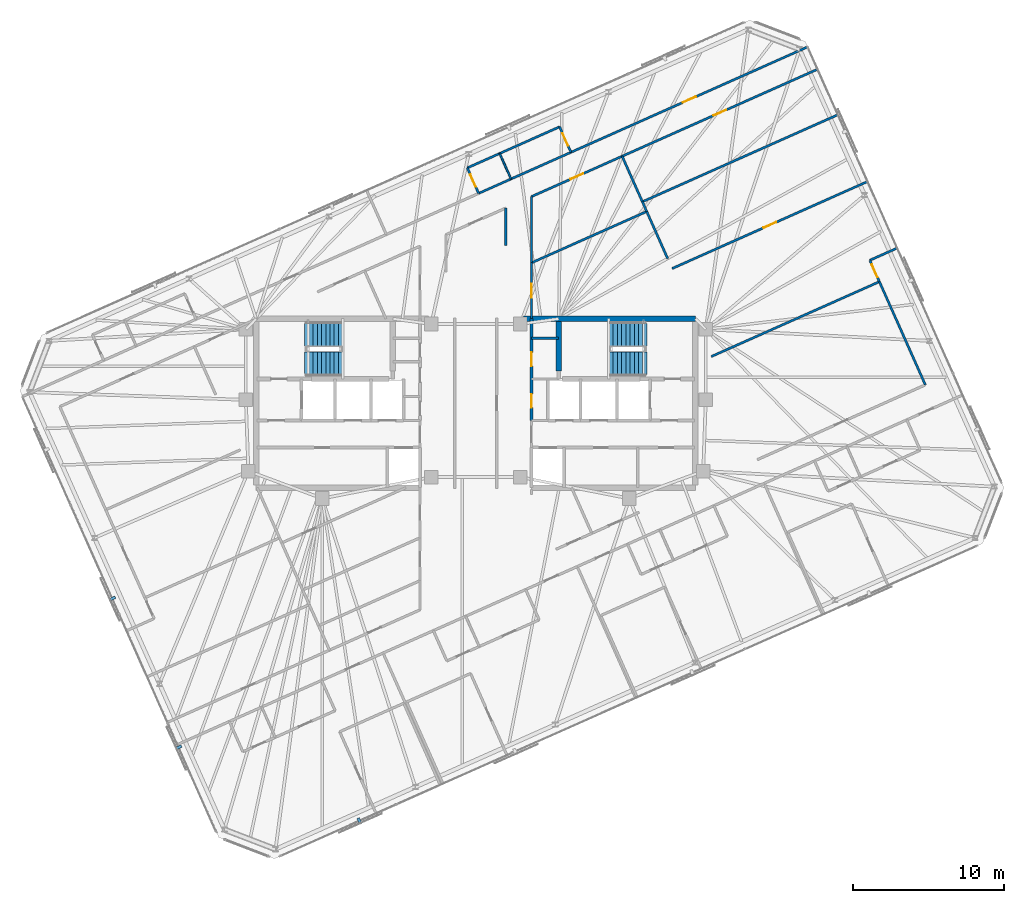
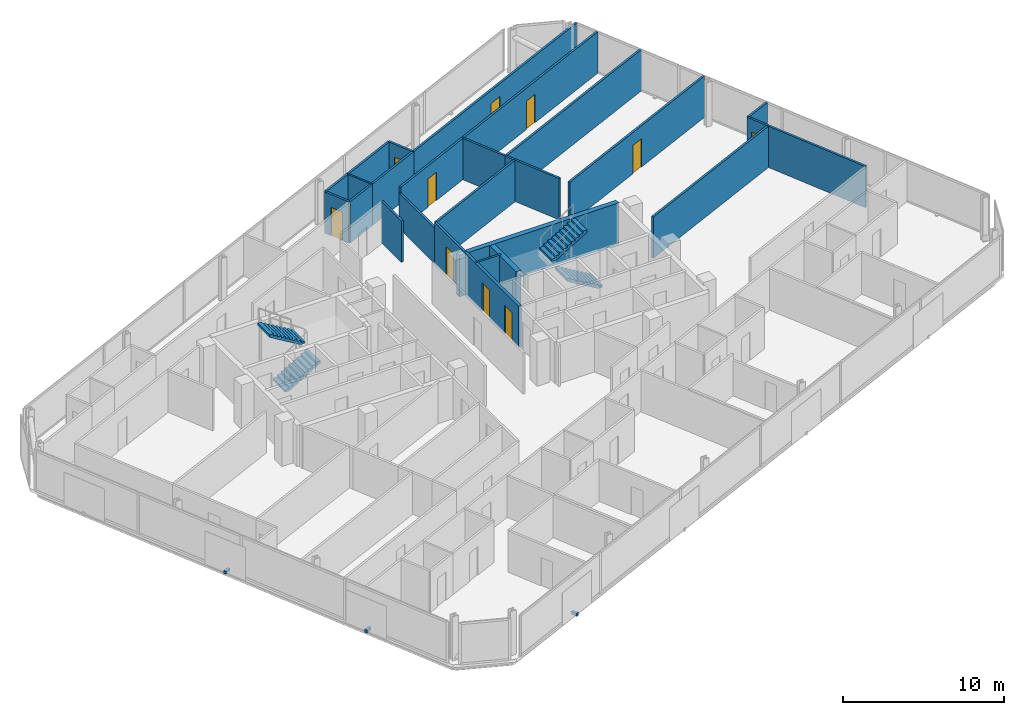
# One storey, part 17 of 19: 27 walls, 10 doors, 4 stair flights, 3 discrete accessories, 10 openings, 2 elements without a shape of their own.
"""IFC4 building model written with IfcOpenShell, lengths in metres."""

from ifc_helpers import new_model, si_unit, direction, frame, frame_2d, origin, origin_2d, place, context, subcontext, project, spatial, polyline, rectangle, outline, extrude, material, layer, layer_set, type_object, element, fill, aggregate, save


model = new_model("IFC4")

# Units and contexts
model_context = context("Model", 3, precision=1e-05, world=origin(), true_north=direction((0.0, 1.0)))
body_context = subcontext(model_context, "Body", "Model", "MODEL_VIEW")
ifc_project = project(units=[si_unit("LENGTHUNIT", "METRE"), si_unit("AREAUNIT", "SQUARE_METRE"), si_unit("VOLUMEUNIT", "CUBIC_METRE"), si_unit("PLANEANGLEUNIT", "RADIAN"), si_unit("MASSUNIT", "GRAM", prefix="KILO")], contexts=[model_context])

# Site, building, storey
site_placement = place(None, origin())
site = spatial("IfcSite", under=ifc_project, at=site_placement, CompositionType="ELEMENT")
building_placement = place(site_placement, origin())
building = spatial("IfcBuilding", under=site, at=building_placement, Name="Menara Jurai Vektor", CompositionType="ELEMENT")
storey_placement = place(building_placement, frame((0.0, 0.0, 268.89990234375)))
storey = spatial("IfcBuildingStorey", under=building, at=storey_placement, Name="L72", CompositionType="ELEMENT", Elevation=268.89990234375)

# Wall
ifc_material_1 = material(Name="Gypsum Fireboard Partition", Category="gypsum")
ifc_layer_1 = layer(ifc_material_1, 0.14990234375)
ifc_layer_set_1 = layer_set([ifc_layer_1], Name="Gypsum Fireboard Partition")
wall_type_1 = type_object("IfcWallType", Name="INT-WALL-CORR-150", PredefinedType="PARTITIONING", material=ifc_layer_set_1)
wall_1_placement = place(storey_placement, frame((3.699951171875, 4.300048828125, 0.0), z_axis=(0.0, 0.0, 1.0), x_axis=(1.0, 0.0, 0.0)))
element("IfcWall", 1, at=wall_1_placement, inside=storey, type_object=wall_type_1, Name="Interior Wall IW-150 L72", PredefinedType="PARTITIONING", context=body_context, shape_type="SweptSolid", body=[
    extrude(rectangle(XDim=1.800048828125, YDim=0.14990234375, at=frame_2d((0.89990234375, 0.0))), origin(), (0.0, 0.0, 1.0), 3.125),
])

# Wall, opening, door
wall_2_placement = place(storey_placement, frame((6.3095703125, 16.63818359375, 0.0), z_axis=(0.0, 0.0, 1.0), x_axis=(0.913550659227, 0.406724959925, 0.0)))
wall_2 = element("IfcWall", 2, at=wall_2_placement, inside=storey, type_object=wall_type_1, Name="Interior Wall IW-150 L72", PredefinedType="PARTITIONING", context=body_context, shape_type="SweptSolid", body=[
    extrude(rectangle(XDim=17.184814453125, YDim=0.14990234375, at=frame_2d((8.59228515625, 0.0))), origin(), (0.0, 0.0, 1.0), 3.125),
])
opening_1_placement = place(wall_2_placement, frame((8.117431640625, 0.0, 0.0)))
opening_1 = element("IfcOpeningElement", 3, at=opening_1_placement, cuts=wall_2, Name="Opening D72-13", PredefinedType="OPENING", context=body_context, shape_type="SweptSolid", body=[
    extrude(rectangle(XDim=0.949951171875, YDim=2.14990234375, at=frame_2d((0.47509765625, 1.074951171875))), frame((0.0, 0.0849609375, 0.0), z_axis=(0.0, -1.0, 0.0), x_axis=(1.0, 0.0, 0.0)), (0.0, 0.0, 1.0), 0.169921875),
])
ifc_material_2 = material(Name="Solid Core Timber Fire Door", Category="wood")
door_type_1 = type_object("IfcDoorType", Name="DR-ENTRY-950", OperationType="NOTDEFINED", PredefinedType="DOOR", material=ifc_material_2)
door_1_placement = place(opening_1_placement, origin())
door_1 = element("IfcDoor", 4, at=door_1_placement, inside=storey, type_object=door_type_1, Name="Interior Door D72-13", OperationType="SINGLE_SWING_LEFT", OverallHeight=2.14990234375, OverallWidth=0.949951171875, PredefinedType="DOOR", context=body_context, shape_type="SweptSolid", body=[
    extrude(rectangle(XDim=0.949951171875, YDim=2.14990234375, at=frame_2d((0.47509765625, 1.074951171875))), frame((0.0, 0.02490234375, 0.0), z_axis=(0.0, -1.0, 0.0), x_axis=(1.0, 0.0, 0.0)), (0.0, 0.0, 1.0), 0.050048828125),
])
fill(opening_1, door_1)

# Walls
wall_3_placement = place(storey_placement, frame((0.188720703125, 13.912841796875, 0.0), z_axis=(0.0, 0.0, 1.0), x_axis=(0.913520021435, 0.406793768926, 0.0)))
element("IfcWall", 5, at=wall_3_placement, inside=storey, type_object=wall_type_1, Name="Interior Wall IW-150 L72", PredefinedType="PARTITIONING", context=body_context, shape_type="SweptSolid", body=[
    extrude(rectangle(XDim=2.35009765625, YDim=0.14990234375, at=frame_2d((1.175048828125, 0.0))), origin(), (0.0, 0.0, 1.0), 3.125),
])
wall_4_placement = place(storey_placement, frame((2.335693359375, 14.868896484375, 0.0), z_axis=(0.0, 0.0, 1.0), x_axis=(0.913545193015, 0.406737237438, 0.0)))
element("IfcWall", 6, at=wall_4_placement, inside=storey, type_object=wall_type_1, Name="Interior Wall IW-150 L72", PredefinedType="PARTITIONING", context=body_context, shape_type="SweptSolid", body=[
    extrude(rectangle(XDim=4.349853515625, YDim=0.14990234375, at=frame_2d((2.1748046875, 0.0))), origin(), (0.0, 0.0, 1.0), 3.125),
])

# Wall, opening, door
wall_5_placement = place(storey_placement, frame((3.7001953125, 5.6005859375, 0.0), z_axis=(0.0, 0.0, 1.0), x_axis=(0.0, 1.0, 0.0)))
wall_5 = element("IfcWall", 7, at=wall_5_placement, inside=storey, type_object=wall_type_1, Name="Interior Wall IW-150 L72", PredefinedType="PARTITIONING", context=body_context, shape_type="SweptSolid", body=[
    extrude(rectangle(XDim=3.712890625, YDim=0.14990234375, at=frame_2d((1.8564453125, 0.0))), origin(), (0.0, 0.0, 1.0), 3.125),
])
opening_2_placement = place(wall_5_placement, frame((1.396484375, 0.0, 0.0)))
opening_2 = element("IfcOpeningElement", 8, at=opening_2_placement, cuts=wall_5, Name="Opening D72-42", PredefinedType="OPENING", context=body_context, shape_type="SweptSolid", body=[
    extrude(rectangle(XDim=0.919921875, YDim=2.14990234375, at=frame_2d((0.4599609375, 1.074951171875))), frame((0.0, 0.0849609375, 0.0), z_axis=(0.0, -1.0, 0.0), x_axis=(1.0, 0.0, 0.0)), (0.0, 0.0, 1.0), 0.169921875),
])
door_2_placement = place(opening_2_placement, origin())
door_2 = element("IfcDoor", 9, at=door_2_placement, inside=storey, type_object=door_type_1, Name="Interior Door D72-42", OperationType="SINGLE_SWING_RIGHT", OverallHeight=2.14990234375, OverallWidth=0.919921875, PredefinedType="DOOR", context=body_context, shape_type="SweptSolid", body=[
    extrude(rectangle(XDim=0.919921875, YDim=2.14990234375, at=frame_2d((0.4599609375, 1.074951171875))), frame((0.0, 0.02490234375, 0.0), z_axis=(0.0, -1.0, 0.0), x_axis=(1.0, 0.0, 0.0)), (0.0, 0.0, 1.0), 0.050048828125),
])
fill(opening_2, door_2)

wall_6_placement = place(storey_placement, frame((3.69970703125, 13.702880859375, 0.0), z_axis=(0.0, 0.0, 1.0), x_axis=(0.913549363376, 0.406727870542, 0.0)))
wall_6 = element("IfcWall", 10, at=wall_6_placement, inside=storey, type_object=wall_type_1, Name="Interior Wall IW-150 L72", PredefinedType="PARTITIONING", context=body_context, shape_type="SweptSolid", body=[
    extrude(rectangle(XDim=6.571044921875, YDim=0.14990234375, at=frame_2d((3.28564453125, 0.0))), origin(), (0.0, 0.0, 1.0), 3.125),
])
opening_3_placement = place(wall_6_placement, frame((2.825439453125, 0.0, 0.0)))
opening_3 = element("IfcOpeningElement", 11, at=opening_3_placement, cuts=wall_6, Name="Opening D72-43", PredefinedType="OPENING", context=body_context, shape_type="SweptSolid", body=[
    extrude(rectangle(XDim=0.919921875, YDim=2.14990234375, at=frame_2d((0.4599609375, 1.074951171875))), frame((0.0, 0.0849609375, 0.0), z_axis=(0.0, -1.0, 0.0), x_axis=(1.0, 0.0, 0.0)), (0.0, 0.0, 1.0), 0.169921875),
])
door_3_placement = place(opening_3_placement, origin())
door_3 = element("IfcDoor", 12, at=door_3_placement, inside=storey, type_object=door_type_1, Name="Interior Door D72-43", OperationType="SINGLE_SWING_LEFT", OverallHeight=2.14990234375, OverallWidth=0.919921875, PredefinedType="DOOR", context=body_context, shape_type="SweptSolid", body=[
    extrude(rectangle(XDim=0.919921875, YDim=2.14990234375, at=frame_2d((0.4599609375, 1.074951171875))), frame((0.0, 0.02490234375, 0.0), z_axis=(0.0, -1.0, 0.0), x_axis=(1.0, 0.0, 0.0)), (0.0, 0.0, 1.0), 0.050048828125),
])
fill(opening_3, door_3)

# Walls
wall_7_placement = place(storey_placement, frame((1.97998046875, 10.4599609375, 0.0), z_axis=(0.0, 0.0, 1.0), x_axis=(0.000197102588, 0.999999980575, 0.0)))
element("IfcWall", 13, at=wall_7_placement, inside=storey, type_object=wall_type_1, Name="Interior Wall IW-150 L72", PredefinedType="PARTITIONING", context=body_context, shape_type="SweptSolid", body=[
    extrude(rectangle(XDim=2.477294921875, YDim=0.14990234375, at=frame_2d((1.23876953125, 0.0))), origin(), (0.0, 0.0, 1.0), 3.125),
])
wall_8_placement = place(storey_placement, frame((29.808837890625, 1.2158203125, 0.0), z_axis=(0.0, 0.0, 1.0), x_axis=(-0.406719136744, 0.913553251763, 0.0)))
element("IfcWall", 14, at=wall_8_placement, inside=storey, type_object=wall_type_1, Name="Interior Wall IW-150 L72", PredefinedType="PARTITIONING", context=body_context, shape_type="SweptSolid", body=[
    extrude(rectangle(XDim=7.489013671875, YDim=0.14990234375, at=frame_2d((3.74462890625, 0.0))), origin(), (0.0, 0.0, 1.0), 3.125),
])

# Wall, opening, door
wall_9_placement = place(storey_placement, frame((26.762939453125, 8.057373046875, 0.0), z_axis=(0.0, 0.0, 1.0), x_axis=(-0.406851688687, 0.913494227356, 0.0)))
wall_9 = element("IfcWall", 15, at=wall_9_placement, inside=storey, type_object=wall_type_1, Name="Interior Wall IW-150 L72", PredefinedType="PARTITIONING", context=body_context, shape_type="SweptSolid", body=[
    extrude(rectangle(XDim=1.555908203125, YDim=0.14990234375, at=frame_2d((0.77783203125, 0.0))), origin(), (0.0, 0.0, 1.0), 3.125),
])
opening_4_placement = place(wall_9_placement, frame((0.318115234375, 0.0, 0.0)))
opening_4 = element("IfcOpeningElement", 16, at=opening_4_placement, cuts=wall_9, Name="Opening D72-49", PredefinedType="OPENING", context=body_context, shape_type="SweptSolid", body=[
    extrude(rectangle(XDim=0.919921875, YDim=2.14990234375, at=frame_2d((0.4599609375, 1.074951171875))), frame((0.0, 0.0849609375, 0.0), z_axis=(0.0, -1.0, 0.0), x_axis=(1.0, 0.0, 0.0)), (0.0, 0.0, 1.0), 0.169921875),
])
door_4_placement = place(opening_4_placement, origin())
door_4 = element("IfcDoor", 17, at=door_4_placement, inside=storey, type_object=door_type_1, Name="Interior Door D72-49", OperationType="SINGLE_SWING_LEFT", OverallHeight=2.14990234375, OverallWidth=0.919921875, PredefinedType="DOOR", context=body_context, shape_type="SweptSolid", body=[
    extrude(rectangle(XDim=0.919921875, YDim=2.14990234375, at=frame_2d((0.4599609375, 1.074951171875))), frame((0.0, 0.02490234375, 0.0), z_axis=(0.0, -1.0, 0.0), x_axis=(1.0, 0.0, 0.0)), (0.0, 0.0, 1.0), 0.050048828125),
])
fill(opening_4, door_4)

# Wall
wall_10_placement = place(storey_placement, frame((26.1298828125, 9.478759765625, 0.0), z_axis=(0.0, 0.0, 1.0), x_axis=(0.913573626813, 0.406673368186, 0.0)))
element("IfcWall", 18, at=wall_10_placement, inside=storey, type_object=wall_type_1, Name="Interior Wall IW-150 L72", PredefinedType="PARTITIONING", context=body_context, shape_type="SweptSolid", body=[
    extrude(rectangle(XDim=1.990234375, YDim=0.14990234375, at=frame_2d((0.9951171875, 0.0))), origin(), (0.0, 0.0, 1.0), 3.125),
])

# Wall, opening, door
wall_11_placement = place(storey_placement, frame((9.70263671875, 16.37548828125, 0.0), z_axis=(0.0, 0.0, 1.0), x_axis=(0.913544622417, 0.406738519018, 0.0)))
wall_11 = element("IfcWall", 19, at=wall_11_placement, inside=storey, type_object=wall_type_1, Name="Interior Wall IW-150 L72", PredefinedType="PARTITIONING", context=body_context, shape_type="SweptSolid", body=[
    extrude(rectangle(XDim=14.192138671875, YDim=0.14990234375, at=frame_2d((7.09619140625, 0.0))), origin(), (0.0, 0.0, 1.0), 3.125),
])
opening_5_placement = place(wall_11_placement, frame((6.635986328125, 0.0, 0.0)))
opening_5 = element("IfcOpeningElement", 20, at=opening_5_placement, cuts=wall_11, Name="Opening D72-51", PredefinedType="OPENING", context=body_context, shape_type="SweptSolid", body=[
    extrude(rectangle(XDim=0.919921875, YDim=2.14990234375, at=frame_2d((0.4599609375, 1.074951171875))), frame((0.0, 0.0849609375, 0.0), z_axis=(0.0, -1.0, 0.0), x_axis=(1.0, 0.0, 0.0)), (0.0, 0.0, 1.0), 0.169921875),
])
door_5_placement = place(opening_5_placement, origin())
door_5 = element("IfcDoor", 21, at=door_5_placement, inside=storey, type_object=door_type_1, Name="Interior Door D72-51", OperationType="SINGLE_SWING_LEFT", OverallHeight=2.14990234375, OverallWidth=0.919921875, PredefinedType="DOOR", context=body_context, shape_type="SweptSolid", body=[
    extrude(rectangle(XDim=0.919921875, YDim=2.14990234375, at=frame_2d((0.4599609375, 1.074951171875))), frame((0.0, 0.02490234375, 0.0), z_axis=(0.0, -1.0, 0.0), x_axis=(1.0, 0.0, 0.0)), (0.0, 0.0, 1.0), 0.050048828125),
])
fill(opening_5, door_5)

wall_12_placement = place(storey_placement, frame((0.188720703125, 13.912841796875, 0.0), z_axis=(0.0, 0.0, 1.0), x_axis=(-0.406701600856, 0.913561058639, 0.0)))
wall_12 = element("IfcWall", 22, at=wall_12_placement, inside=storey, type_object=wall_type_1, Name="Interior Wall IW-150 L72", PredefinedType="PARTITIONING", context=body_context, shape_type="SweptSolid", body=[
    extrude(rectangle(XDim=1.85009765625, YDim=0.14990234375, at=frame_2d((0.925048828125, 0.0))), origin(), (0.0, 0.0, 1.0), 3.125),
])
opening_6_placement = place(wall_12_placement, frame((0.485107421875, 0.0, 0.0)))
opening_6 = element("IfcOpeningElement", 23, at=opening_6_placement, cuts=wall_12, Name="Opening D72-14", PredefinedType="OPENING", context=body_context, shape_type="SweptSolid", body=[
    extrude(rectangle(XDim=0.8798828125, YDim=2.14990234375, at=frame_2d((0.43994140625, 1.074951171875))), frame((0.0, 0.0849609375, 0.0), z_axis=(0.0, -1.0, 0.0), x_axis=(1.0, 0.0, 0.0)), (0.0, 0.0, 1.0), 0.169921875),
])
ifc_material_3 = material(Name="Moisture-Resistant Timber Door", Category="wood")
door_type_2 = type_object("IfcDoorType", Name="DR-BATH-880", OperationType="NOTDEFINED", PredefinedType="DOOR", material=ifc_material_3)
door_6_placement = place(opening_6_placement, origin())
door_6 = element("IfcDoor", 24, at=door_6_placement, inside=storey, type_object=door_type_2, Name="Interior Door D72-14", OperationType="SINGLE_SWING_RIGHT", OverallHeight=2.14990234375, OverallWidth=0.8798828125, PredefinedType="DOOR", context=body_context, shape_type="SweptSolid", body=[
    extrude(rectangle(XDim=0.8798828125, YDim=2.14990234375, at=frame_2d((0.43994140625, 1.074951171875))), frame((0.0, 0.02490234375, 0.0), z_axis=(0.0, -1.0, 0.0), x_axis=(1.0, 0.0, 0.0)), (0.0, 0.0, 1.0), 0.050048828125),
])
fill(opening_6, door_6)

# Walls
wall_13_placement = place(storey_placement, frame((-0.563720703125, 15.60302734375, 0.0), z_axis=(0.0, 0.0, 1.0), x_axis=(0.913541436194, 0.406745675276, 0.0)))
element("IfcWall", 25, at=wall_13_placement, inside=storey, type_object=wall_type_1, Name="Interior Wall IW-150 L72", PredefinedType="PARTITIONING", context=body_context, shape_type="SweptSolid", body=[
    extrude(rectangle(XDim=2.349853515625, YDim=0.14990234375, at=frame_2d((1.1748046875, 0.0))), origin(), (0.0, 0.0, 1.0), 3.125),
])
wall_14_placement = place(storey_placement, frame((1.5830078125, 16.558837890625, 0.0), z_axis=(0.0, 0.0, 1.0), x_axis=(0.913554477336, 0.406716383908, 0.0)))
element("IfcWall", 26, at=wall_14_placement, inside=storey, type_object=wall_type_1, Name="Interior Wall IW-150 L72", PredefinedType="PARTITIONING", context=body_context, shape_type="SweptSolid", body=[
    extrude(rectangle(XDim=4.35009765625, YDim=0.14990234375, at=frame_2d((2.175048828125, 0.0))), origin(), (0.0, 0.0, 1.0), 3.125),
])

# Wall, opening, door
wall_15_placement = place(storey_placement, frame((6.3095703125, 16.63818359375, 0.0), z_axis=(0.0, 0.0, 1.0), x_axis=(-0.406750635596, 0.913539227643, 0.0)))
wall_15 = element("IfcWall", 27, at=wall_15_placement, inside=storey, type_object=wall_type_1, Name="Interior Wall IW-150 L72", PredefinedType="PARTITIONING", context=body_context, shape_type="SweptSolid", body=[
    extrude(rectangle(XDim=1.849853515625, YDim=0.14990234375, at=frame_2d((0.9248046875, 0.0))), origin(), (0.0, 0.0, 1.0), 3.125),
])
opening_7_placement = place(wall_15_placement, frame((0.47509765625, 0.0, 0.0)))
opening_7 = element("IfcOpeningElement", 28, at=opening_7_placement, cuts=wall_15, Name="Opening D72-15", PredefinedType="OPENING", context=body_context, shape_type="SweptSolid", body=[
    extrude(rectangle(XDim=0.89990234375, YDim=2.14990234375, at=frame_2d((0.449951171875, 1.074951171875))), frame((0.0, 0.0849609375, 0.0), z_axis=(0.0, -1.0, 0.0), x_axis=(1.0, 0.0, 0.0)), (0.0, 0.0, 1.0), 0.169921875),
])
ifc_material_4 = material(Name="Acoustic Timber Interior Door", Category="wood")
door_type_3 = type_object("IfcDoorType", Name="DR-ROOM-900", OperationType="NOTDEFINED", PredefinedType="DOOR", material=ifc_material_4)
door_7_placement = place(opening_7_placement, origin())
door_7 = element("IfcDoor", 29, at=door_7_placement, inside=storey, type_object=door_type_3, Name="Interior Door D72-15", OperationType="SINGLE_SWING_LEFT", OverallHeight=2.14990234375, OverallWidth=0.89990234375, PredefinedType="DOOR", context=body_context, shape_type="SweptSolid", body=[
    extrude(rectangle(XDim=0.89990234375, YDim=2.14990234375, at=frame_2d((0.449951171875, 1.074951171875))), frame((0.0, 0.02490234375, 0.0), z_axis=(0.0, -1.0, 0.0), x_axis=(1.0, 0.0, 0.0)), (0.0, 0.0, 1.0), 0.050048828125),
])
fill(opening_7, door_7)

# Walls
wall_16_placement = place(storey_placement, frame((3.7001953125, 9.3134765625, 0.0), z_axis=(0.0, 0.0, 1.0), x_axis=(0.913545080962, 0.406737489112, 0.0)))
element("IfcWall", 30, at=wall_16_placement, inside=storey, type_object=wall_type_1, Name="Interior Wall IW-150 L72", PredefinedType="PARTITIONING", context=body_context, shape_type="SweptSolid", body=[
    extrude(rectangle(XDim=8.35595703125, YDim=0.14990234375, at=frame_2d((4.177978515625, 0.0))), origin(), (0.0, 0.0, 1.0), 3.125),
])
wall_17_placement = place(storey_placement, frame((12.72509765625, 9.5869140625, 0.0), z_axis=(0.0, 0.0, 1.0), x_axis=(-0.406714462948, 0.913555332549, 0.0)))
element("IfcWall", 31, at=wall_17_placement, inside=storey, type_object=wall_type_1, Name="Interior Wall IW-150 L72", PredefinedType="PARTITIONING", context=body_context, shape_type="SweptSolid", body=[
    extrude(rectangle(XDim=3.4208984375, YDim=0.14990234375, at=frame_2d((1.71044921875, 0.0))), origin(), (0.0, 0.0, 1.0), 3.125),
])
wall_18_placement = place(storey_placement, frame((11.333740234375, 12.712158203125, 0.0), z_axis=(0.0, 0.0, 1.0), x_axis=(-0.40694029237, 0.913454759934, 0.0)))
element("IfcWall", 32, at=wall_18_placement, inside=storey, type_object=wall_type_1, Name="Interior Wall IW-150 L72", PredefinedType="PARTITIONING", context=body_context, shape_type="SweptSolid", body=[
    extrude(rectangle(XDim=0.7060546875, YDim=0.14990234375, at=frame_2d((0.35302734375, 0.0))), origin(), (0.0, 0.0, 1.0), 3.125),
])
wall_19_placement = place(storey_placement, frame((11.04638671875, 13.357177734375, 0.0), z_axis=(0.0, 0.0, 1.0), x_axis=(-0.406714303965, 0.913555403328, 0.0)))
element("IfcWall", 33, at=wall_19_placement, inside=storey, type_object=wall_type_1, Name="Interior Wall IW-150 L72", PredefinedType="PARTITIONING", context=body_context, shape_type="SweptSolid", body=[
    extrude(rectangle(XDim=3.303955078125, YDim=0.14990234375, at=frame_2d((1.65185546875, 0.0))), origin(), (0.0, 0.0, 1.0), 3.125),
])
wall_20_placement = place(storey_placement, frame((15.61572265625, 3.094482421875, 0.0), z_axis=(0.0, 0.0, 1.0), x_axis=(0.913550635989, 0.40672501212, 0.0)))
element("IfcWall", 34, at=wall_20_placement, inside=storey, type_object=wall_type_1, Name="Interior Wall IW-150 L72", PredefinedType="PARTITIONING", context=body_context, shape_type="SweptSolid", body=[
    extrude(rectangle(XDim=12.2021484375, YDim=0.14990234375, at=frame_2d((6.10107421875, 0.0))), origin(), (0.0, 0.0, 1.0), 3.125),
])

# Wall, opening, door
wall_21_placement = place(storey_placement, frame((13.017578125, 8.93017578125, 0.0), z_axis=(0.0, 0.0, 1.0), x_axis=(0.913551014388, 0.406724162191, 0.0)))
wall_21 = element("IfcWall", 35, at=wall_21_placement, inside=storey, type_object=wall_type_1, Name="Interior Wall IW-150 L72", PredefinedType="PARTITIONING", context=body_context, shape_type="SweptSolid", body=[
    extrude(rectangle(XDim=14.19189453125, YDim=0.14990234375, at=frame_2d((7.095947265625, 0.0))), origin(), (0.0, 0.0, 1.0), 3.125),
])
opening_8_placement = place(wall_21_placement, frame((6.635986328125, 0.0, 0.0)))
opening_8 = element("IfcOpeningElement", 36, at=opening_8_placement, cuts=wall_21, Name="Opening D72-50", PredefinedType="OPENING", context=body_context, shape_type="SweptSolid", body=[
    extrude(rectangle(XDim=0.919921875, YDim=2.14990234375, at=frame_2d((0.4599609375, 1.074951171875))), frame((0.0, 0.0849609375, 0.0), z_axis=(0.0, -1.0, 0.0), x_axis=(1.0, 0.0, 0.0)), (0.0, 0.0, 1.0), 0.169921875),
])
door_8_placement = place(opening_8_placement, origin())
door_8 = element("IfcDoor", 37, at=door_8_placement, inside=storey, type_object=door_type_1, Name="Interior Door D72-50", OperationType="SINGLE_SWING_RIGHT", OverallHeight=2.14990234375, OverallWidth=0.919921875, PredefinedType="DOOR", context=body_context, shape_type="SweptSolid", body=[
    extrude(rectangle(XDim=0.919921875, YDim=2.14990234375, at=frame_2d((0.4599609375, 1.074951171875))), frame((0.0, 0.02490234375, 0.0), z_axis=(0.0, -1.0, 0.0), x_axis=(1.0, 0.0, 0.0)), (0.0, 0.0, 1.0), 0.050048828125),
])
fill(opening_8, door_8)

# Walls
wall_22_placement = place(storey_placement, frame((11.04638671875, 13.357177734375, 0.0), z_axis=(0.0, 0.0, 1.0), x_axis=(0.913553860075, 0.406717770379, 0.0)))
element("IfcWall", 38, at=wall_22_placement, inside=storey, type_object=wall_type_1, Name="Interior Wall IW-150 L72", PredefinedType="PARTITIONING", context=body_context, shape_type="SweptSolid", body=[
    extrude(rectangle(XDim=14.192138671875, YDim=0.14990234375, at=frame_2d((7.09619140625, 0.0))), origin(), (0.0, 0.0, 1.0), 3.125),
])
ifc_layer_2 = layer(ifc_material_1, 0.14990234375)
ifc_layer_set_2 = layer_set([ifc_layer_2], Name="Gypsum Fireboard Partition")
wall_type_2 = type_object("IfcWallType", Name="INT-WALL-CORR-150-H1", PredefinedType="PARTITIONING", material=ifc_layer_set_2)
wall_23_placement = place(storey_placement, frame((3.7001953125, 9.3134765625, 0.0), z_axis=(0.0, 0.0, 1.0), x_axis=(-0.000111240891, 0.999999993813, 0.0)))
element("IfcWall", 39, at=wall_23_placement, inside=storey, type_object=wall_type_2, Name="Interior Wall IW-150 L72", PredefinedType="PARTITIONING", context=body_context, shape_type="SweptSolid", body=[
    extrude(rectangle(XDim=4.389404296875, YDim=0.14990234375, at=frame_2d((2.19482421875, 0.0))), origin(), (0.0, 0.0, 1.0), 2.675048828125),
])
ifc_material_5 = material(Name="Gypsum Acoustic Stud Partition", Category="gypsum")
ifc_layer_3 = layer(ifc_material_5, 0.1201171875)
ifc_layer_set_3 = layer_set([ifc_layer_3], Name="Gypsum Acoustic Stud Partition")
wall_type_3 = type_object("IfcWallType", Name="INT-WALL-PART-120", PredefinedType="PARTITIONING", material=ifc_layer_set_3)
wall_24_placement = place(storey_placement, frame((2.335693359375, 14.868896484375, 0.0), z_axis=(0.0, 0.0, 1.0), x_axis=(-0.406860767979, 0.913490183571, 0.0)))
element("IfcWall", 40, at=wall_24_placement, inside=storey, type_object=wall_type_3, Name="Interior Wall IW-120 L72", PredefinedType="PARTITIONING", context=body_context, shape_type="SweptSolid", body=[
    extrude(rectangle(XDim=1.85009765625, YDim=0.1201171875, at=frame_2d((0.925048828125, 0.0))), origin(), (0.0, 0.0, 1.0), 3.125),
])

# Wall, openings, doors
ifc_material_6 = material(Name="Concrete C40/50", Category="concrete")
ifc_layer_4 = layer(ifc_material_6, 0.199951171875)
ifc_layer_set_4 = layer_set([ifc_layer_4], Name="Concrete C40/50")
wall_type_4 = type_object("IfcWallType", Name="INT-WALL-SHAFT-200", PredefinedType="STANDARD", material=ifc_layer_set_4)
wall_25_placement = place(storey_placement, frame((3.699951171875, -1.14990234375, 0.0), z_axis=(0.0, 0.0, 1.0), x_axis=(0.0, 1.0, 0.0)))
wall_25 = element("IfcWall", 41, at=wall_25_placement, inside=storey, type_object=wall_type_4, Name="Interior Wall IW-200 L72", PredefinedType="STANDARD", context=body_context, shape_type="SweptSolid", body=[
    extrude(rectangle(XDim=6.75, YDim=0.199951171875, at=frame_2d((3.375, 0.0))), origin(), (0.0, 0.0, 1.0), 3.125),
])
opening_9_placement = place(wall_25_placement, frame((3.60009765625, 0.0, 0.0)))
opening_9 = element("IfcOpeningElement", 42, at=opening_9_placement, cuts=wall_25, Name="Opening D72-07", PredefinedType="OPENING", context=body_context, shape_type="SweptSolid", body=[
    extrude(rectangle(XDim=0.919921875, YDim=2.14990234375, at=frame_2d((0.4599609375, 1.074951171875))), frame((0.0, 0.10986328125, 0.0), z_axis=(0.0, -1.0, 0.0), x_axis=(1.0, 0.0, 0.0)), (0.0, 0.0, 1.0), 0.219970703125),
])
opening_10_placement = place(wall_25_placement, frame((0.85009765625, 0.0, 0.0)))
opening_10 = element("IfcOpeningElement", 43, at=opening_10_placement, cuts=wall_25, Name="Opening D72-08", PredefinedType="OPENING", context=body_context, shape_type="SweptSolid", body=[
    extrude(rectangle(XDim=0.89990234375, YDim=2.14990234375, at=frame_2d((0.449951171875, 1.074951171875))), frame((0.0, 0.10986328125, 0.0), z_axis=(0.0, -1.0, 0.0), x_axis=(1.0, 0.0, 0.0)), (0.0, 0.0, 1.0), 0.219970703125),
])
door_9_placement = place(opening_9_placement, origin())
door_9 = element("IfcDoor", 44, at=door_9_placement, inside=storey, type_object=door_type_1, Name="Interior Door D72-07", OperationType="SINGLE_SWING_RIGHT", OverallHeight=2.14990234375, OverallWidth=0.919921875, PredefinedType="DOOR", context=body_context, shape_type="SweptSolid", body=[
    extrude(rectangle(XDim=0.919921875, YDim=2.14990234375, at=frame_2d((0.4599609375, 1.074951171875))), frame((0.0, 0.02490234375, 0.0), z_axis=(0.0, -1.0, 0.0), x_axis=(1.0, 0.0, 0.0)), (0.0, 0.0, 1.0), 0.050048828125),
])
fill(opening_9, door_9)
door_10_placement = place(opening_10_placement, origin())
door_10 = element("IfcDoor", 45, at=door_10_placement, inside=storey, type_object=door_type_1, Name="Interior Door D72-08", OperationType="SINGLE_SWING_RIGHT", OverallHeight=2.14990234375, OverallWidth=0.89990234375, PredefinedType="DOOR", context=body_context, shape_type="SweptSolid", body=[
    extrude(rectangle(XDim=0.89990234375, YDim=2.14990234375, at=frame_2d((0.449951171875, 1.074951171875))), frame((0.0, 0.02490234375, 0.0), z_axis=(0.0, -1.0, 0.0), x_axis=(1.0, 0.0, 0.0)), (0.0, 0.0, 1.0), 0.050048828125),
])
fill(opening_10, door_10)

# Walls
ifc_material_7 = material(Name="Concrete C50/60", Category="concrete")
ifc_layer_5 = layer(ifc_material_7, 0.35009765625)
ifc_layer_set_5 = layer_set([ifc_layer_5], Name="Concrete C50/60")
wall_type_5 = type_object("IfcWallType", Name="STR-WALL-CORE350", PredefinedType="SHEAR", material=ifc_layer_set_5)
wall_26_placement = place(storey_placement, frame((3.14990234375, 5.60009765625, 0.0), z_axis=(0.0, 0.0, 1.0), x_axis=(1.0, 0.0, 0.0)))
element("IfcWall", 46, at=wall_26_placement, inside=storey, type_object=wall_type_5, Name="Core Shear Wall CW-E-N L72", PredefinedType="SHEAR", context=body_context, shape_type="SweptSolid", body=[
    extrude(rectangle(XDim=11.41015625, YDim=0.35009765625, at=frame_2d((5.705078125, 0.0))), origin(), (0.0, 0.0, 1.0), 3.125),
])
wall_27_placement = place(storey_placement, frame((5.5, 2.14990234375, 0.0), z_axis=(0.0, 0.0, 1.0), x_axis=(0.0, 1.0, 0.0)))
element("IfcWall", 47, at=wall_27_placement, inside=storey, type_object=wall_type_5, Name="Core Shear Wall CW-E-ST L72", PredefinedType="SHEAR", context=body_context, shape_type="SweptSolid", body=[
    extrude(rectangle(XDim=3.275146484375, YDim=0.35009765625, at=frame_2d((1.6376953125, 0.0))), origin(), (0.0, 0.0, 1.0), 3.125),
])

# Stair, stair flights
stair_type = type_object("IfcStairType", Name="STAIR-DOGLEG-1500", PredefinedType="HALF_TURN_STAIR", material=ifc_material_6)
stair_1_placement = place(storey_placement, origin())
stair_1 = element("IfcStair", 48, at=stair_1_placement, inside=storey, type_object=stair_type, Name="Protected Exit Stair ST1 L72", PredefinedType="HALF_TURN_STAIR")
stair_flight_type = type_object("IfcStairFlightType", Name="STAIR-FLIGHT-1500", PredefinedType="STRAIGHT", material=ifc_material_6)
stair_flight_1_placement = place(storey_placement, frame((-11.35009765625, 2.64990234375, 0.0), z_axis=(0.0, 0.0, 1.0), x_axis=(1.0, 0.0, 0.0)))
stair_flight_1 = element("IfcStairFlight", 49, at=stair_flight_1_placement, type_object=stair_flight_type, Name="ST1 flight 1", NumberOfRisers=10, NumberOfTreads=9, PredefinedType="STRAIGHT", RiserHeight=0.1675, TreadLength=0.28, context=body_context, shape_type="SweptSolid", body=[
    extrude(outline(polyline([(0.0, 0.0), (0.0, 0.16748046875), (0.280029296875, 0.16748046875), (0.280029296875, 0.3349609375), (0.56005859375, 0.3349609375), (0.56005859375, 0.50244140625), (0.840087890625, 0.50244140625), (0.840087890625, 0.669921875), (1.1201171875, 0.669921875), (1.1201171875, 0.83740234375), (1.39990234375, 0.83740234375), (1.39990234375, 1.0048828125), (1.679931640625, 1.0048828125), (1.679931640625, 1.172607421875), (1.9599609375, 1.172607421875), (1.9599609375, 1.340087890625), (2.239990234375, 1.340087890625), (2.239990234375, 1.507568359375), (2.52001953125, 1.507568359375), (2.52001953125, 1.675048828125), (2.52001953125, 1.321044921875), (0.3115234375, 0.0), (0.0, 0.0)])), frame((0.0, 0.75, 0.0), z_axis=(0.0, -1.0, 0.0), x_axis=(1.0, 0.0, 0.0)), (0.0, 0.0, 1.0), 1.5),
])
stair_flight_2_placement = place(storey_placement, frame((-8.830078125, 4.550048828125, 1.675048828125), z_axis=(0.0, 0.0, 1.0), x_axis=(-1.0, 0.0, 0.0)))
stair_flight_2 = element("IfcStairFlight", 50, at=stair_flight_2_placement, type_object=stair_flight_type, Name="ST1 flight 2", NumberOfRisers=10, NumberOfTreads=9, PredefinedType="STRAIGHT", RiserHeight=0.1675, TreadLength=0.28, context=body_context, shape_type="SweptSolid", body=[
    extrude(outline(polyline([(0.0, 0.0), (0.0, 0.16748046875), (0.280029296875, 0.16748046875), (0.280029296875, 0.3349609375), (0.56005859375, 0.3349609375), (0.56005859375, 0.50244140625), (0.840087890625, 0.50244140625), (0.840087890625, 0.669921875), (1.1201171875, 0.669921875), (1.1201171875, 0.83740234375), (1.39990234375, 0.83740234375), (1.39990234375, 1.0048828125), (1.679931640625, 1.0048828125), (1.679931640625, 1.172607421875), (1.9599609375, 1.172607421875), (1.9599609375, 1.340087890625), (2.239990234375, 1.340087890625), (2.239990234375, 1.507568359375), (2.52001953125, 1.507568359375), (2.52001953125, 1.675048828125), (2.52001953125, 1.321044921875), (0.3115234375, 0.0), (0.0, 0.0)])), frame((0.0, 0.75, 0.0), z_axis=(0.0, -1.0, 0.0), x_axis=(1.0, 0.0, 0.0)), (0.0, 0.0, 1.0), 1.5),
])
aggregate(stair_1, [stair_flight_1, stair_flight_2])

stair_2_placement = place(storey_placement, origin())
stair_2 = element("IfcStair", 51, at=stair_2_placement, inside=storey, type_object=stair_type, Name="Protected Exit Stair ST2 L72", PredefinedType="HALF_TURN_STAIR")
stair_flight_3_placement = place(storey_placement, frame((11.35009765625, 2.64990234375, 0.0), z_axis=(0.0, 0.0, 1.0), x_axis=(-1.0, 0.0, 0.0)))
stair_flight_3 = element("IfcStairFlight", 52, at=stair_flight_3_placement, type_object=stair_flight_type, Name="ST2 flight 1", NumberOfRisers=10, NumberOfTreads=9, PredefinedType="STRAIGHT", RiserHeight=0.1675, TreadLength=0.28, context=body_context, shape_type="SweptSolid", body=[
    extrude(outline(polyline([(0.0, 0.0), (0.0, 0.16748046875), (0.280029296875, 0.16748046875), (0.280029296875, 0.3349609375), (0.56005859375, 0.3349609375), (0.56005859375, 0.50244140625), (0.840087890625, 0.50244140625), (0.840087890625, 0.669921875), (1.1201171875, 0.669921875), (1.1201171875, 0.83740234375), (1.39990234375, 0.83740234375), (1.39990234375, 1.0048828125), (1.679931640625, 1.0048828125), (1.679931640625, 1.172607421875), (1.9599609375, 1.172607421875), (1.9599609375, 1.340087890625), (2.239990234375, 1.340087890625), (2.239990234375, 1.507568359375), (2.52001953125, 1.507568359375), (2.52001953125, 1.675048828125), (2.52001953125, 1.321044921875), (0.3115234375, 0.0), (0.0, 0.0)])), frame((0.0, 0.75, 0.0), z_axis=(0.0, -1.0, 0.0), x_axis=(1.0, 0.0, 0.0)), (0.0, 0.0, 1.0), 1.5),
])
stair_flight_4_placement = place(storey_placement, frame((8.830078125, 4.550048828125, 1.675048828125), z_axis=(0.0, 0.0, 1.0), x_axis=(1.0, 0.0, 0.0)))
stair_flight_4 = element("IfcStairFlight", 53, at=stair_flight_4_placement, type_object=stair_flight_type, Name="ST2 flight 2", NumberOfRisers=10, NumberOfTreads=9, PredefinedType="STRAIGHT", RiserHeight=0.1675, TreadLength=0.28, context=body_context, shape_type="SweptSolid", body=[
    extrude(outline(polyline([(0.0, 0.0), (0.0, 0.16748046875), (0.280029296875, 0.16748046875), (0.280029296875, 0.3349609375), (0.56005859375, 0.3349609375), (0.56005859375, 0.50244140625), (0.840087890625, 0.50244140625), (0.840087890625, 0.669921875), (1.1201171875, 0.669921875), (1.1201171875, 0.83740234375), (1.39990234375, 0.83740234375), (1.39990234375, 1.0048828125), (1.679931640625, 1.0048828125), (1.679931640625, 1.172607421875), (1.9599609375, 1.172607421875), (1.9599609375, 1.340087890625), (2.239990234375, 1.340087890625), (2.239990234375, 1.507568359375), (2.52001953125, 1.507568359375), (2.52001953125, 1.675048828125), (2.52001953125, 1.321044921875), (0.3115234375, 0.0), (0.0, 0.0)])), frame((0.0, 0.75, 0.0), z_axis=(0.0, -1.0, 0.0), x_axis=(1.0, 0.0, 0.0)), (0.0, 0.0, 1.0), 1.5),
])
aggregate(stair_2, [stair_flight_3, stair_flight_4])

# Discrete accessories
ifc_material_8 = material(Name="Steel S355", Category="steel")
discrete_accessory_type = type_object("IfcDiscreteAccessoryType", Name="ENV-ACC-BRACKET", PredefinedType="BRACKET", material=ifc_material_8)
for number, where, z_axis, x_axis, name in (
    (54, (-7.711181640625, -27.7109375, -0.1298828125), (0.0, 0.0, 1.0), (0.913545457643, 0.406736643076, 0.0), "Solar Screen Stand-Off Bracket L72-S01"),
    (55, (-24.1064453125, -12.960205078125, -0.1298828125), (0.0, 0.0, 1.0), (0.406736643076, -0.913545457643, 0.0), "Solar Screen Stand-Off Bracket L72-S13"),
    (56, (-19.713623046875, -22.826416015625, -0.1298828125), (0.0, 0.0, 1.0), (0.406736643076, -0.913545457643, 0.0), "Solar Screen Stand-Off Bracket L72-S14"),
):
    element("IfcDiscreteAccessory", number, at=place(storey_placement, frame(where, z_axis=z_axis, x_axis=x_axis)), inside=storey, type_object=discrete_accessory_type, Name=name, PredefinedType="BRACKET", context=body_context, shape_type="SweptSolid", body=[
        extrude(rectangle(XDim=0.179931640625, YDim=0.43994140625, at=origin_2d()), origin(), (0.0, 0.0, 1.0), 0.219970703125),
    ])

save(model, "model.ifc")
